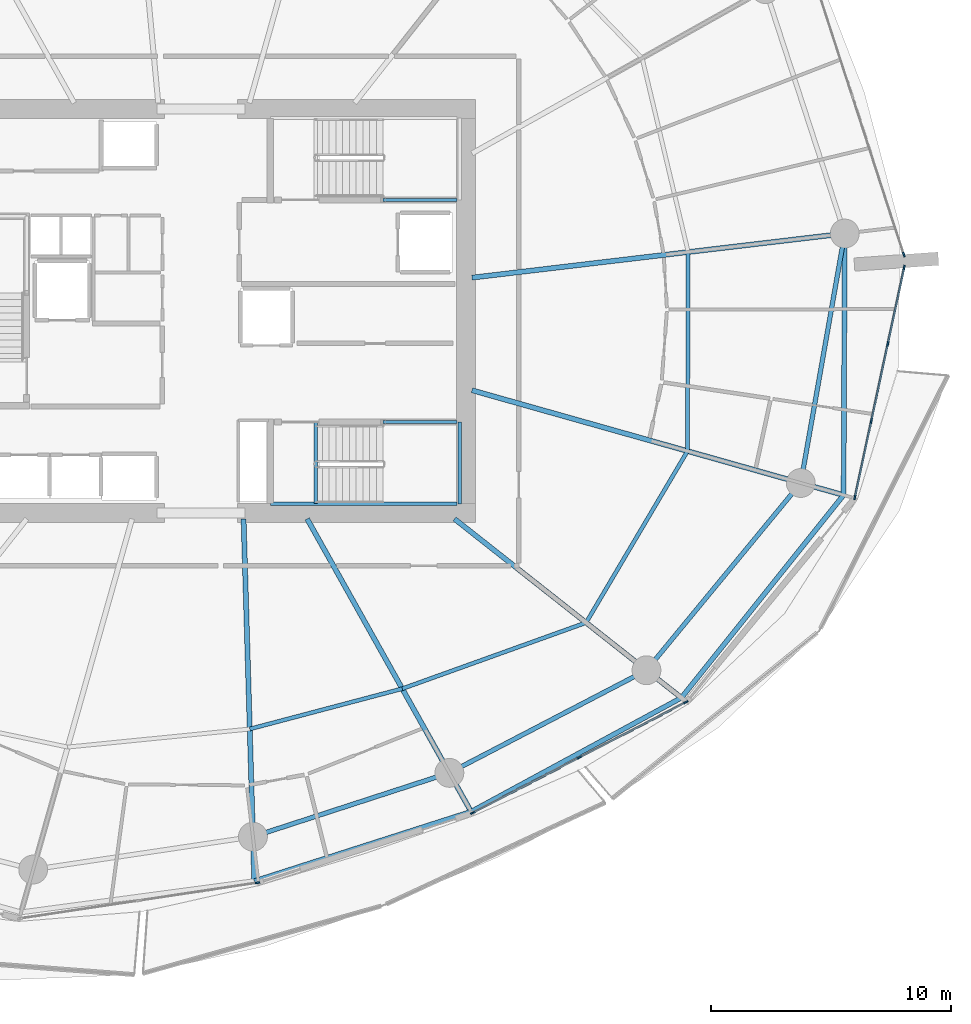
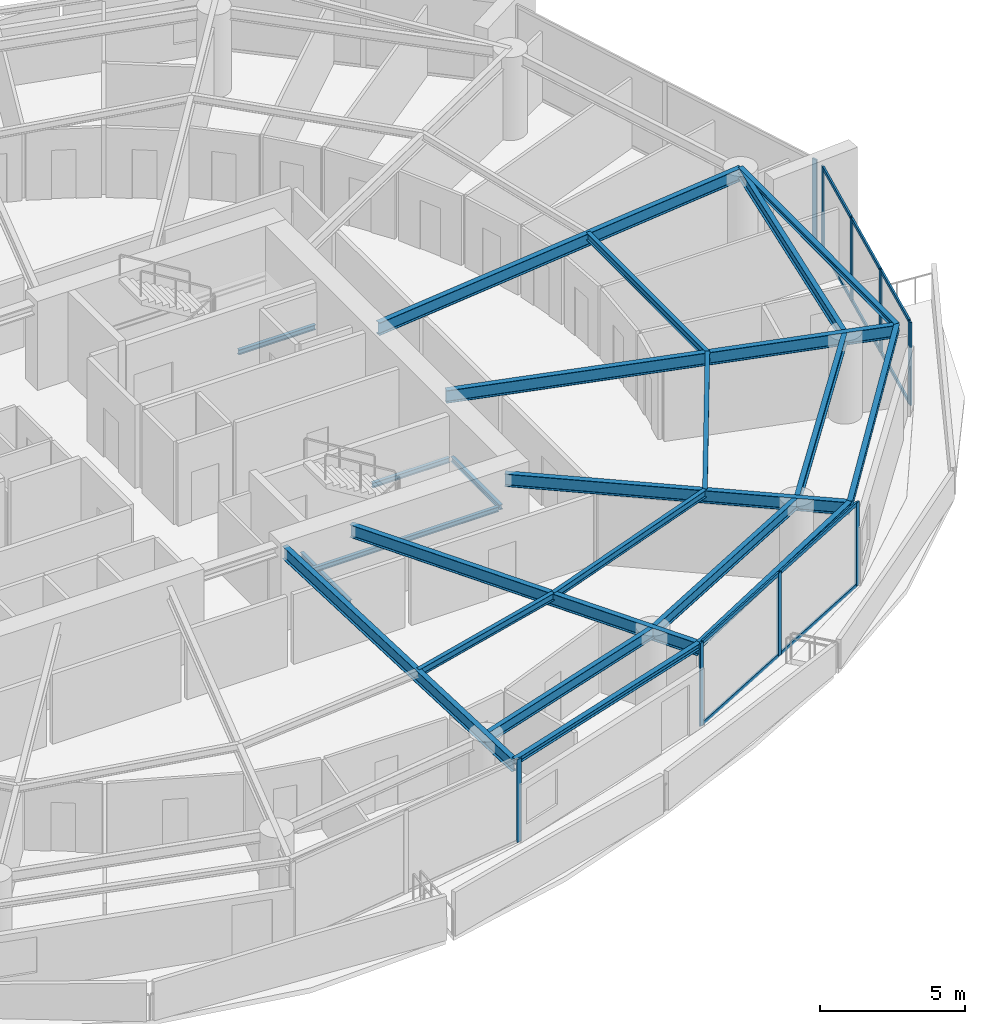
# One storey, part 7 of 23: 22 beams, 19 members, 4 elements without a shape of their own.
"""IFC4 building model written with IfcOpenShell, lengths in metres."""

from ifc_helpers import new_model, si_unit, direction, frame, origin, origin_2d, place, context, subcontext, project, spatial, rectangle, i_section, extrude, material, layer, layer_set, material_profile, profile_set, type_object, element, aggregate, save


model = new_model("IFC4")

# Units and contexts
model_context = context("Model", 3, precision=1e-05, world=origin(), true_north=direction((0.0, 1.0)))
body_context = subcontext(model_context, "Body", "Model", "MODEL_VIEW")
ifc_project = project(units=[si_unit("LENGTHUNIT", "METRE"), si_unit("AREAUNIT", "SQUARE_METRE"), si_unit("VOLUMEUNIT", "CUBIC_METRE"), si_unit("PLANEANGLEUNIT", "RADIAN"), si_unit("MASSUNIT", "GRAM", prefix="KILO")], contexts=[model_context])

# Site, building, storey
site_placement = place(None, origin())
site = spatial("IfcSite", under=ifc_project, at=site_placement, CompositionType="ELEMENT")
building_placement = place(site_placement, origin())
building = spatial("IfcBuilding", under=site, at=building_placement, Name="Kazma Halo Residences", CompositionType="ELEMENT")
storey_placement = place(building_placement, frame((0.0, 0.0, 108.89990234375)))
storey = spatial("IfcBuildingStorey", under=building, at=storey_placement, Name="L27", CompositionType="ELEMENT", Elevation=108.89990234375)

# Beams
ifc_material_1 = material(Name="Steel S355", Category="steel")
ifc_material_profile_1 = material_profile(ifc_material_1, i_section(OverallWidth=0.201904296875, OverallDepth=0.2470703125, WebThickness=0.00732421875, FlangeThickness=0.010986328125, FilletRadius=0.011962890625, at=origin_2d()), Name="W250x49.1")
ifc_profile_set_1 = profile_set([ifc_material_profile_1], Name="Steel S355")
beam_type_1 = type_object("IfcBeamType", Name="BM-BAL-CANT", PredefinedType="BEAM", material=ifc_profile_set_1)
beam_1_placement = place(storey_placement, frame((50.642578125, 18.28173828125, 3.376708984375), z_axis=(0.952319061301, 0.305103925709, 0.0), x_axis=(-0.305103925709, 0.952319061301, 0.0)))
element("IfcBeam", 1, at=beam_1_placement, inside=storey, type_object=beam_type_1, Name="L27 wave-balcony tie beam 12", PredefinedType="BEAM", context=body_context, shape_type="SweptSolid", body=[
    extrude(i_section(OverallWidth=0.201904296875, OverallDepth=0.2470703125, WebThickness=0.00732421875, FlangeThickness=0.010986328125, FilletRadius=0.011962890625, at=origin_2d()), origin(), (0.0, 0.0, 1.0), 9.473388671875),
])
beam_2_placement = place(storey_placement, frame((59.664306640625, 21.172119140625, 3.376708984375), z_axis=(0.87930438671, 0.476260218276, 0.0), x_axis=(-0.476260218276, 0.87930438671, 0.0)))
element("IfcBeam", 2, at=beam_2_placement, inside=storey, type_object=beam_type_1, Name="L27 wave-balcony tie beam 13", PredefinedType="BEAM", context=body_context, shape_type="SweptSolid", body=[
    extrude(i_section(OverallWidth=0.201904296875, OverallDepth=0.2470703125, WebThickness=0.00732421875, FlangeThickness=0.010986328125, FilletRadius=0.011962890625, at=origin_2d()), origin(), (0.0, 0.0, 1.0), 9.94677734375),
])
beam_3_placement = place(storey_placement, frame((68.41064453125, 25.909423828125, 3.376708984375), z_axis=(0.62477775999, 0.78080263231, 0.0), x_axis=(-0.78080263231, 0.62477775999, 0.0)))
element("IfcBeam", 3, at=beam_3_placement, inside=storey, type_object=beam_type_1, Name="L27 wave-balcony tie beam 14", PredefinedType="BEAM", context=body_context, shape_type="SweptSolid", body=[
    extrude(i_section(OverallWidth=0.201904296875, OverallDepth=0.2470703125, WebThickness=0.00732421875, FlangeThickness=0.010986328125, FilletRadius=0.011962890625, at=origin_2d()), origin(), (0.0, 0.0, 1.0), 10.79833984375),
])
beam_4_placement = place(storey_placement, frame((75.1572265625, 34.3408203125, 3.376708984375), z_axis=(0.004532963616, 0.999989726068, 0.0), x_axis=(-0.999989726068, 0.004532963616, 0.0)))
element("IfcBeam", 4, at=beam_4_placement, inside=storey, type_object=beam_type_1, Name="L27 wave-balcony tie beam 15", PredefinedType="BEAM", context=body_context, shape_type="SweptSolid", body=[
    extrude(i_section(OverallWidth=0.201904296875, OverallDepth=0.2470703125, WebThickness=0.00732421875, FlangeThickness=0.010986328125, FilletRadius=0.011962890625, at=origin_2d()), origin(), (0.0, 0.0, 1.0), 10.87939453125),
])
ifc_material_profile_2 = material_profile(ifc_material_1, i_section(OverallWidth=0.208984375, OverallDepth=0.532958984375, WebThickness=0.01025390625, FlangeThickness=0.015625, FilletRadius=0.01611328125, at=origin_2d()), Name="W530x92")
ifc_profile_set_2 = profile_set([ifc_material_profile_2], Name="Steel S355")
beam_type_2 = type_object("IfcBeamType", Name="BM-RAD-W530", PredefinedType="BEAM", material=ifc_profile_set_2)
beam_5_placement = place(storey_placement, frame((50.199951171875, 33.35009765625, 3.233642578125), z_axis=(0.029361929959, -0.999568845587, 0.0), x_axis=(0.999568845587, 0.029361929959, 0.0)))
element("IfcBeam", 5, at=beam_5_placement, inside=storey, type_object=beam_type_2, Name="L27 radial floor beam 12", PredefinedType="BEAM", context=body_context, shape_type="SweptSolid", body=[
    extrude(i_section(OverallWidth=0.208984375, OverallDepth=0.532958984375, WebThickness=0.01025390625, FlangeThickness=0.015625, FilletRadius=0.01611328125, at=origin_2d()), origin(), (0.0, 0.0, 1.0), 15.074951171875),
])
beam_6_placement = place(storey_placement, frame((52.84423828125, 33.35009765625, 3.233642578125), z_axis=(0.488625206529, -0.872493786536, 0.0), x_axis=(0.872493786536, 0.488625206529, 0.0)))
element("IfcBeam", 6, at=beam_6_placement, inside=storey, type_object=beam_type_2, Name="L27 radial floor beam 13", PredefinedType="BEAM", context=body_context, shape_type="SweptSolid", body=[
    extrude(i_section(OverallWidth=0.208984375, OverallDepth=0.532958984375, WebThickness=0.01025390625, FlangeThickness=0.015625, FilletRadius=0.01611328125, at=origin_2d()), origin(), (0.0, 0.0, 1.0), 13.957763671875),
])
beam_7_placement = place(storey_placement, frame((58.972412109375, 33.35009765625, 3.233642578125), z_axis=(0.785309999923, -0.619102741086, 0.0), x_axis=(0.619102741086, 0.785309999923, 0.0)))
element("IfcBeam", 7, at=beam_7_placement, inside=storey, type_object=beam_type_2, Name="L27 radial floor beam 14", PredefinedType="BEAM", context=body_context, shape_type="SweptSolid", body=[
    extrude(i_section(OverallWidth=0.208984375, OverallDepth=0.532958984375, WebThickness=0.01025390625, FlangeThickness=0.015625, FilletRadius=0.01611328125, at=origin_2d()), origin(), (0.0, 0.0, 1.0), 12.0185546875),
])
beam_8_placement = place(storey_placement, frame((59.699951171875, 38.7001953125, 3.233642578125), z_axis=(0.962455684158, -0.271438862419, 0.0), x_axis=(0.271438862419, 0.962455684158, 0.0)))
element("IfcBeam", 8, at=beam_8_placement, inside=storey, type_object=beam_type_2, Name="L27 radial floor beam 15", PredefinedType="BEAM", context=body_context, shape_type="SweptSolid", body=[
    extrude(i_section(OverallWidth=0.208984375, OverallDepth=0.532958984375, WebThickness=0.01025390625, FlangeThickness=0.015625, FilletRadius=0.01611328125, at=origin_2d()), origin(), (0.0, 0.0, 1.0), 16.060302734375),
])
beam_9_placement = place(storey_placement, frame((59.699951171875, 43.384765625, 3.233642578125), z_axis=(0.993067536486, 0.1175451742, 0.0), x_axis=(-0.1175451742, 0.993067536486, 0.0)))
element("IfcBeam", 9, at=beam_9_placement, inside=storey, type_object=beam_type_2, Name="L27 radial floor beam 16", PredefinedType="BEAM", context=body_context, shape_type="SweptSolid", body=[
    extrude(i_section(OverallWidth=0.208984375, OverallDepth=0.532958984375, WebThickness=0.01025390625, FlangeThickness=0.015625, FilletRadius=0.01611328125, at=origin_2d()), origin(), (0.0, 0.0, 1.0), 15.61474609375),
])
ifc_material_profile_3 = material_profile(ifc_material_1, i_section(OverallWidth=0.1650390625, OverallDepth=0.31005859375, WebThickness=0.005859375, FlangeThickness=0.009765625, FilletRadius=0.011962890625, at=origin_2d()), Name="W310x38.7")
ifc_profile_set_3 = profile_set([ifc_material_profile_3], Name="Steel S355")
beam_type_3 = type_object("IfcBeamType", Name="BM-SEC-W310B", PredefinedType="JOIST", material=ifc_profile_set_3)
beam_10_placement = place(storey_placement, frame((50.456787109375, 24.6103515625, 3.34521484375), z_axis=(0.966800191214, 0.255533540398, 0.0), x_axis=(-0.255533540398, 0.966800191214, 0.0)))
element("IfcBeam", 10, at=beam_10_placement, inside=storey, type_object=beam_type_3, Name="L27 circumferential floor joist 12", PredefinedType="JOIST", context=body_context, shape_type="SweptSolid", body=[
    extrude(i_section(OverallWidth=0.1650390625, OverallDepth=0.31005859375, WebThickness=0.005859375, FlangeThickness=0.009765625, FilletRadius=0.011962890625, at=origin_2d()), origin(), (0.0, 0.0, 1.0), 6.560791015625),
])
beam_11_placement = place(storey_placement, frame((56.7998046875, 26.286865234375, 3.34521484375), z_axis=(0.941097126818, 0.338136359913, 0.0), x_axis=(-0.338136359913, 0.941097126818, 0.0)))
element("IfcBeam", 11, at=beam_11_placement, inside=storey, type_object=beam_type_3, Name="L27 circumferential floor joist 13", PredefinedType="JOIST", context=body_context, shape_type="SweptSolid", body=[
    extrude(i_section(OverallWidth=0.1650390625, OverallDepth=0.31005859375, WebThickness=0.005859375, FlangeThickness=0.009765625, FilletRadius=0.011962890625, at=origin_2d()), origin(), (0.0, 0.0, 1.0), 8.12548828125),
])
beam_12_placement = place(storey_placement, frame((64.44677734375, 29.034423828125, 3.34521484375), z_axis=(0.508811652677, 0.860877867122, 0.0), x_axis=(-0.860877867122, 0.508811652677, 0.0)))
element("IfcBeam", 12, at=beam_12_placement, inside=storey, type_object=beam_type_3, Name="L27 circumferential floor joist 14", PredefinedType="JOIST", context=body_context, shape_type="SweptSolid", body=[
    extrude(i_section(OverallWidth=0.1650390625, OverallDepth=0.31005859375, WebThickness=0.005859375, FlangeThickness=0.009765625, FilletRadius=0.011962890625, at=origin_2d()), origin(), (0.0, 0.0, 1.0), 8.291015625),
])
beam_13_placement = place(storey_placement, frame((68.665283203125, 36.171875, 3.34521484375), z_axis=(0.003450899697, 0.999994045628, 0.0), x_axis=(-0.999994045628, 0.003450899697, 0.0)))
element("IfcBeam", 13, at=beam_13_placement, inside=storey, type_object=beam_type_3, Name="L27 circumferential floor joist 15", PredefinedType="JOIST", context=body_context, shape_type="SweptSolid", body=[
    extrude(i_section(OverallWidth=0.1650390625, OverallDepth=0.31005859375, WebThickness=0.005859375, FlangeThickness=0.009765625, FilletRadius=0.011962890625, at=origin_2d()), origin(), (0.0, 0.0, 1.0), 8.27734375),
])
ifc_material_profile_4 = material_profile(ifc_material_1, i_section(OverallWidth=0.18994140625, OverallDepth=0.45703125, WebThickness=0.009033203125, FlangeThickness=0.014404296875, FilletRadius=0.01611328125, at=origin_2d()), Name="W460x74")
ifc_profile_set_4 = profile_set([ifc_material_profile_4], Name="Steel S355")
beam_type_4 = type_object("IfcBeamType", Name="BM-SPN-W460", PredefinedType="BEAM", material=ifc_profile_set_4)
beam_14_placement = place(storey_placement, frame((50.58837890625, 20.130859375, 3.271484375), z_axis=(0.951054111927, 0.30902439416, 0.0), x_axis=(-0.30902439416, 0.951054111927, 0.0)))
element("IfcBeam", 14, at=beam_14_placement, inside=storey, type_object=beam_type_4, Name="L27 perimeter ring beam 12", PredefinedType="BEAM", context=body_context, shape_type="SweptSolid", body=[
    extrude(i_section(OverallWidth=0.18994140625, OverallDepth=0.45703125, WebThickness=0.009033203125, FlangeThickness=0.014404296875, FilletRadius=0.01611328125, at=origin_2d()), origin(), (0.0, 0.0, 1.0), 8.592529296875),
])
beam_15_placement = place(storey_placement, frame((58.76025390625, 22.7861328125, 3.271484375), z_axis=(0.886963229644, 0.461840047266, 0.0), x_axis=(-0.461840047266, 0.886963229644, 0.0)))
element("IfcBeam", 15, at=beam_15_placement, inside=storey, type_object=beam_type_4, Name="L27 perimeter ring beam 13", PredefinedType="BEAM", context=body_context, shape_type="SweptSolid", body=[
    extrude(i_section(OverallWidth=0.18994140625, OverallDepth=0.45703125, WebThickness=0.009033203125, FlangeThickness=0.014404296875, FilletRadius=0.01611328125, at=origin_2d()), origin(), (0.0, 0.0, 1.0), 9.242431640625),
])
beam_16_placement = place(storey_placement, frame((66.9580078125, 27.0546875, 3.271484375), z_axis=(0.635989564566, 0.771697656963, 0.0), x_axis=(-0.771697656963, 0.635989564566, 0.0)))
element("IfcBeam", 16, at=beam_16_placement, inside=storey, type_object=beam_type_4, Name="L27 perimeter ring beam 14", PredefinedType="BEAM", context=body_context, shape_type="SweptSolid", body=[
    extrude(i_section(OverallWidth=0.18994140625, OverallDepth=0.45703125, WebThickness=0.009033203125, FlangeThickness=0.014404296875, FilletRadius=0.01611328125, at=origin_2d()), origin(), (0.0, 0.0, 1.0), 10.092529296875),
])
beam_17_placement = place(storey_placement, frame((73.376708984375, 34.843017578125, 3.271484375), z_axis=(0.173653159051, 0.984806874647, 0.0), x_axis=(-0.984806874647, 0.173653159051, 0.0)))
element("IfcBeam", 17, at=beam_17_placement, inside=storey, type_object=beam_type_4, Name="L27 perimeter ring beam 15", PredefinedType="BEAM", context=body_context, shape_type="SweptSolid", body=[
    extrude(i_section(OverallWidth=0.18994140625, OverallDepth=0.45703125, WebThickness=0.009033203125, FlangeThickness=0.014404296875, FilletRadius=0.01611328125, at=origin_2d()), origin(), (0.0, 0.0, 1.0), 10.537353515625),
])
ifc_material_profile_5 = material_profile(ifc_material_1, i_section(OverallWidth=0.133056640625, OverallDepth=0.20703125, WebThickness=0.005859375, FlangeThickness=0.00830078125, FilletRadius=0.010009765625, at=origin_2d()), Name="W200x26.6")
ifc_profile_set_5 = profile_set([ifc_material_profile_5], Name="Steel S355")
beam_type_5 = type_object("IfcBeamType", Name="BM-TRIM-W200", PredefinedType="BEAM", material=ifc_profile_set_5)
beam_18_placement = place(storey_placement, frame((53.199951171875, 34.0, -0.35986328125), z_axis=(0.0, 1.0, 0.0), x_axis=(-1.0, 0.0, 0.0)))
element("IfcBeam", 18, at=beam_18_placement, inside=storey, type_object=beam_type_5, Name="L27 ST-03 floor landing support beam", PredefinedType="BEAM", context=body_context, shape_type="SweptSolid", body=[
    extrude(i_section(OverallWidth=0.133056640625, OverallDepth=0.20703125, WebThickness=0.005859375, FlangeThickness=0.00830078125, FilletRadius=0.010009765625, at=origin_2d()), origin(), (0.0, 0.0, 1.0), 3.3798828125),
])
beam_19_placement = place(storey_placement, frame((56.0, 46.6201171875, 1.570068359375), z_axis=(1.0, 0.0, 0.0), x_axis=(0.0, 1.0, 0.0)))
element("IfcBeam", 19, at=beam_19_placement, inside=storey, type_object=beam_type_5, Name="L27 ST-02 landing south wall ledger", PredefinedType="BEAM", context=body_context, shape_type="SweptSolid", body=[
    extrude(i_section(OverallWidth=0.133056640625, OverallDepth=0.20703125, WebThickness=0.005859375, FlangeThickness=0.00830078125, FilletRadius=0.010009765625, at=origin_2d()), origin(), (0.0, 0.0, 1.0), 3.070068359375),
])
beam_20_placement = place(storey_placement, frame((51.31005859375, 33.97998046875, 1.570068359375), z_axis=(1.0, 0.0, 0.0), x_axis=(0.0, 1.0, 0.0)))
element("IfcBeam", 20, at=beam_20_placement, inside=storey, type_object=beam_type_5, Name="L27 ST-03 landing south wall ledger", PredefinedType="BEAM", context=body_context, shape_type="SweptSolid", body=[
    extrude(i_section(OverallWidth=0.133056640625, OverallDepth=0.20703125, WebThickness=0.005859375, FlangeThickness=0.00830078125, FilletRadius=0.010009765625, at=origin_2d()), origin(), (0.0, 0.0, 1.0), 7.760009765625),
])
beam_21_placement = place(storey_placement, frame((56.0, 37.3798828125, 1.570068359375), z_axis=(1.0, 0.0, 0.0), x_axis=(0.0, 1.0, 0.0)))
element("IfcBeam", 21, at=beam_21_placement, inside=storey, type_object=beam_type_5, Name="L27 ST-03 landing north wall ledger", PredefinedType="BEAM", context=body_context, shape_type="SweptSolid", body=[
    extrude(i_section(OverallWidth=0.133056640625, OverallDepth=0.20703125, WebThickness=0.005859375, FlangeThickness=0.00830078125, FilletRadius=0.010009765625, at=origin_2d()), origin(), (0.0, 0.0, 1.0), 3.070068359375),
])
beam_22_placement = place(storey_placement, frame((59.18994140625, 33.97998046875, 1.570068359375), z_axis=(0.0, 1.0, 0.0), x_axis=(-1.0, 0.0, 0.0)))
element("IfcBeam", 22, at=beam_22_placement, inside=storey, type_object=beam_type_5, Name="L27 ST-03 landing end wall ledger", PredefinedType="BEAM", context=body_context, shape_type="SweptSolid", body=[
    extrude(i_section(OverallWidth=0.133056640625, OverallDepth=0.20703125, WebThickness=0.005859375, FlangeThickness=0.00830078125, FilletRadius=0.010009765625, at=origin_2d()), origin(), (0.0, 0.0, 1.0), 3.39990234375),
])

# Curtain wall, member
ifc_material_2 = material(Name="Aluminium AW-6063 T6 and Triple-Silver Low-E Glass", Category="aluminium")
ifc_layer = layer(ifc_material_2, 0.199951171875)
ifc_layer_set = layer_set([ifc_layer], Name="Aluminium AW-6063 T6 and Triple-Silver Low-E Glass")
curtain_wall_type = type_object("IfcCurtainWallType", Name="CW-SYS-3", PredefinedType="NOTDEFINED", material=ifc_layer_set)
curtain_wall_1_placement = place(storey_placement, origin())
curtain_wall_1 = element("IfcCurtainWall", 23, at=curtain_wall_1_placement, inside=storey, type_object=curtain_wall_type, Name="L27 unitised curtain wall B11", PredefinedType="NOTDEFINED")
ifc_material_3 = material(Name="Aluminium AW-6063 T6", Category="aluminium")
ifc_material_profile_6 = material_profile(ifc_material_3, rectangle(XDim=0.070068359375, YDim=0.199951171875, at=origin_2d()), Name="CWM-70x200")
ifc_profile_set_6 = profile_set([ifc_material_profile_6], Name="Aluminium AW-6063 T6")
member_type_1 = type_object("IfcMemberType", Name="CW-SYS-3-MUL", PredefinedType="MULLION", material=ifc_profile_set_6)
member_1_placement = place(storey_placement, frame((50.780029296875, 18.21337890625, 0.0), z_axis=(0.0, 0.0, 1.0), x_axis=(-0.148717330409, 0.988879747814, 0.0)))
member_1 = element("IfcMember", 24, at=member_1_placement, type_object=member_type_1, Name="CWS-3 mullion 3", PredefinedType="MULLION", context=body_context, shape_type="SweptSolid", body=[
    extrude(rectangle(XDim=0.070068359375, YDim=0.199951171875, at=origin_2d()), origin(), (0.0, 0.0, 1.0), 3.5),
])
aggregate(curtain_wall_1, [member_1])

# Curtain wall, members
curtain_wall_2_placement = place(storey_placement, origin())
curtain_wall_2 = element("IfcCurtainWall", 25, at=curtain_wall_2_placement, inside=storey, type_object=curtain_wall_type, Name="L27 unitised curtain wall B13", PredefinedType="NOTDEFINED")
member_2_placement = place(storey_placement, frame((59.732177734375, 21.1220703125, 0.0), z_axis=(0.0, 0.0, 1.0), x_axis=(-0.460932159481, 0.887435374749, 0.0)))
member_2 = element("IfcMember", 26, at=member_2_placement, type_object=member_type_1, Name="CWS-3 mullion 1", PredefinedType="MULLION", context=body_context, shape_type="SweptSolid", body=[
    extrude(rectangle(XDim=0.070068359375, YDim=0.199951171875, at=origin_2d()), origin(), (0.0, 0.0, 1.0), 3.5),
])
member_3_placement = place(storey_placement, frame((64.1630859375, 23.42333984375, 0.0), z_axis=(0.0, 0.0, 1.0), x_axis=(-0.460932159481, 0.887435374749, 0.0)))
member_3 = element("IfcMember", 27, at=member_3_placement, type_object=member_type_1, Name="CWS-3 mullion 2", PredefinedType="MULLION", context=body_context, shape_type="SweptSolid", body=[
    extrude(rectangle(XDim=0.070068359375, YDim=0.199951171875, at=origin_2d()), origin(), (0.0, 0.0, 1.0), 3.5),
])
member_4_placement = place(storey_placement, frame((68.59375, 25.724609375, 0.0), z_axis=(0.0, 0.0, 1.0), x_axis=(-0.460932159481, 0.887435374749, 0.0)))
member_4 = element("IfcMember", 28, at=member_4_placement, type_object=member_type_1, Name="CWS-3 mullion 3", PredefinedType="MULLION", context=body_context, shape_type="SweptSolid", body=[
    extrude(rectangle(XDim=0.070068359375, YDim=0.199951171875, at=origin_2d()), origin(), (0.0, 0.0, 1.0), 3.5),
])

curtain_wall_3_placement = place(storey_placement, origin())
curtain_wall_3 = element("IfcCurtainWall", 29, at=curtain_wall_3_placement, inside=storey, type_object=curtain_wall_type, Name="L27 unitised curtain wall B15", PredefinedType="NOTDEFINED")
member_5_placement = place(storey_placement, frame((75.6259765625, 34.244873046875, 0.0), z_axis=(0.0, 0.0, 1.0), x_axis=(-0.977774176093, 0.209660822677, 0.0)))
member_5 = element("IfcMember", 30, at=member_5_placement, type_object=member_type_1, Name="CWS-3 mullion 1", PredefinedType="MULLION", context=body_context, shape_type="SweptSolid", body=[
    extrude(rectangle(XDim=0.070068359375, YDim=0.199951171875, at=origin_2d()), origin(), (0.0, 0.0, 1.0), 3.5),
])
member_6_placement = place(storey_placement, frame((76.30712890625, 37.4208984375, 0.0), z_axis=(0.0, 0.0, 1.0), x_axis=(-0.977774176093, 0.209660822677, 0.0)))
member_6 = element("IfcMember", 31, at=member_6_placement, type_object=member_type_1, Name="CWS-3 mullion 2", PredefinedType="MULLION", context=body_context, shape_type="SweptSolid", body=[
    extrude(rectangle(XDim=0.070068359375, YDim=0.199951171875, at=origin_2d()), origin(), (0.0, 0.0, 1.0), 3.5),
])
member_7_placement = place(storey_placement, frame((76.995361328125, 40.63134765625, 0.0), z_axis=(0.0, 0.0, 1.0), x_axis=(-0.977774176093, 0.209660822677, 0.0)))
member_7 = element("IfcMember", 32, at=member_7_placement, type_object=member_type_1, Name="CWS-3 mullion 3", PredefinedType="MULLION", context=body_context, shape_type="SweptSolid", body=[
    extrude(rectangle(XDim=0.070068359375, YDim=0.199951171875, at=origin_2d()), origin(), (0.0, 0.0, 1.0), 3.5),
])
member_8_placement = place(storey_placement, frame((77.676513671875, 43.807373046875, 0.0), z_axis=(0.0, 0.0, 1.0), x_axis=(-0.977774176093, 0.209660822677, 0.0)))
member_8 = element("IfcMember", 33, at=member_8_placement, type_object=member_type_1, Name="CWS-3 mullion 4", PredefinedType="MULLION", context=body_context, shape_type="SweptSolid", body=[
    extrude(rectangle(XDim=0.070068359375, YDim=0.199951171875, at=origin_2d()), origin(), (0.0, 0.0, 1.0), 3.5),
])

# Curtain wall, member
curtain_wall_4_placement = place(storey_placement, origin())
curtain_wall_4 = element("IfcCurtainWall", 34, at=curtain_wall_4_placement, inside=storey, type_object=curtain_wall_type, Name="L27 unitised curtain wall B16", PredefinedType="NOTDEFINED")
member_9_placement = place(storey_placement, frame((77.665283203125, 44.3427734375, 0.0), z_axis=(0.0, 0.0, 1.0), x_axis=(-0.951057722508, -0.309013282008, 0.0)))
member_9 = element("IfcMember", 35, at=member_9_placement, type_object=member_type_1, Name="CWS-3 mullion 1", PredefinedType="MULLION", context=body_context, shape_type="SweptSolid", body=[
    extrude(rectangle(XDim=0.070068359375, YDim=0.199951171875, at=origin_2d()), origin(), (0.0, 0.0, 1.0), 3.5),
])
aggregate(curtain_wall_4, [member_9])

# Member
ifc_material_profile_7 = material_profile(ifc_material_3, rectangle(XDim=0.070068359375, YDim=0.14990234375, at=origin_2d()), Name="CWT-70x150")
ifc_profile_set_7 = profile_set([ifc_material_profile_7], Name="Aluminium AW-6063 T6")
member_type_2 = type_object("IfcMemberType", Name="CW-SYS-3-TRN", PredefinedType="USERDEFINED", material=ifc_profile_set_7)
member_10_placement = place(storey_placement, frame((59.763427734375, 21.13818359375, 0.03515625), z_axis=(0.887427024944, 0.460948235054, 0.0), x_axis=(-0.460948235054, 0.887427024944, 0.0)))
member_10 = element("IfcMember", 36, at=member_10_placement, type_object=member_type_2, Name="CWS-3 transom 1.1", ObjectType="TRANSOM", PredefinedType="USERDEFINED", context=body_context, shape_type="SweptSolid", body=[
    extrude(rectangle(XDim=0.070068359375, YDim=0.14990234375, at=origin_2d()), origin(), (0.0, 0.0, 1.0), 4.922607421875),
])

member_11_placement = place(storey_placement, frame((59.763427734375, 21.13818359375, 3.465087890625), z_axis=(0.887427024944, 0.460948235054, 0.0), x_axis=(-0.460948235054, 0.887427024944, 0.0)))
member_11 = element("IfcMember", 37, at=member_11_placement, type_object=member_type_2, Name="CWS-3 transom 1.2", ObjectType="TRANSOM", PredefinedType="USERDEFINED", context=body_context, shape_type="SweptSolid", body=[
    extrude(rectangle(XDim=0.070068359375, YDim=0.14990234375, at=origin_2d()), origin(), (0.0, 0.0, 1.0), 4.922607421875),
])

member_12_placement = place(storey_placement, frame((64.194091796875, 23.439453125, 0.03515625), z_axis=(0.887437562141, 0.460927948058, 0.0), x_axis=(-0.460927948058, 0.887437562141, 0.0)))
member_12 = element("IfcMember", 38, at=member_12_placement, type_object=member_type_2, Name="CWS-3 transom 2.1", ObjectType="TRANSOM", PredefinedType="USERDEFINED", context=body_context, shape_type="SweptSolid", body=[
    extrude(rectangle(XDim=0.070068359375, YDim=0.14990234375, at=origin_2d()), origin(), (0.0, 0.0, 1.0), 4.9228515625),
])

member_13_placement = place(storey_placement, frame((64.194091796875, 23.439453125, 3.465087890625), z_axis=(0.887437562141, 0.460927948058, 0.0), x_axis=(-0.460927948058, 0.887437562141, 0.0)))
member_13 = element("IfcMember", 39, at=member_13_placement, type_object=member_type_2, Name="CWS-3 transom 2.2", ObjectType="TRANSOM", PredefinedType="USERDEFINED", context=body_context, shape_type="SweptSolid", body=[
    extrude(rectangle(XDim=0.070068359375, YDim=0.14990234375, at=origin_2d()), origin(), (0.0, 0.0, 1.0), 4.9228515625),
])

aggregate(curtain_wall_2, [member_2, member_3, member_4, member_10, member_11, member_12, member_13])

member_14_placement = place(storey_placement, frame((75.63330078125, 34.279052734375, 0.03515625), z_axis=(0.209702197956, 0.977765303216, 0.0), x_axis=(-0.977765303216, 0.209702197956, 0.0)))
member_14 = element("IfcMember", 40, at=member_14_placement, type_object=member_type_2, Name="CWS-3 transom 1.1", ObjectType="TRANSOM", PredefinedType="USERDEFINED", context=body_context, shape_type="SweptSolid", body=[
    extrude(rectangle(XDim=0.070068359375, YDim=0.14990234375, at=origin_2d()), origin(), (0.0, 0.0, 1.0), 3.17822265625),
])

member_15_placement = place(storey_placement, frame((75.63330078125, 34.279052734375, 3.465087890625), z_axis=(0.209702197956, 0.977765303216, 0.0), x_axis=(-0.977765303216, 0.209702197956, 0.0)))
member_15 = element("IfcMember", 41, at=member_15_placement, type_object=member_type_2, Name="CWS-3 transom 1.2", ObjectType="TRANSOM", PredefinedType="USERDEFINED", context=body_context, shape_type="SweptSolid", body=[
    extrude(rectangle(XDim=0.070068359375, YDim=0.14990234375, at=origin_2d()), origin(), (0.0, 0.0, 1.0), 3.17822265625),
])

member_16_placement = place(storey_placement, frame((76.314453125, 37.455078125, 0.03515625), z_axis=(0.209627675811, 0.977781283076, 0.0), x_axis=(-0.977781283076, 0.209627675811, 0.0)))
member_16 = element("IfcMember", 42, at=member_16_placement, type_object=member_type_2, Name="CWS-3 transom 2.1", ObjectType="TRANSOM", PredefinedType="USERDEFINED", context=body_context, shape_type="SweptSolid", body=[
    extrude(rectangle(XDim=0.070068359375, YDim=0.14990234375, at=origin_2d()), origin(), (0.0, 0.0, 1.0), 3.213134765625),
])

member_17_placement = place(storey_placement, frame((76.314453125, 37.455078125, 3.465087890625), z_axis=(0.209627675811, 0.977781283076, 0.0), x_axis=(-0.977781283076, 0.209627675811, 0.0)))
member_17 = element("IfcMember", 43, at=member_17_placement, type_object=member_type_2, Name="CWS-3 transom 2.2", ObjectType="TRANSOM", PredefinedType="USERDEFINED", context=body_context, shape_type="SweptSolid", body=[
    extrude(rectangle(XDim=0.070068359375, YDim=0.14990234375, at=origin_2d()), origin(), (0.0, 0.0, 1.0), 3.213134765625),
])

member_18_placement = place(storey_placement, frame((77.002685546875, 40.66552734375, 0.03515625), z_axis=(0.209717949017, 0.977761924939, 0.0), x_axis=(-0.977761924939, 0.209717949017, 0.0)))
member_18 = element("IfcMember", 44, at=member_18_placement, type_object=member_type_2, Name="CWS-3 transom 3.1", ObjectType="TRANSOM", PredefinedType="USERDEFINED", context=body_context, shape_type="SweptSolid", body=[
    extrude(rectangle(XDim=0.070068359375, YDim=0.14990234375, at=origin_2d()), origin(), (0.0, 0.0, 1.0), 3.177978515625),
])

member_19_placement = place(storey_placement, frame((77.002685546875, 40.66552734375, 3.465087890625), z_axis=(0.209717949017, 0.977761924939, 0.0), x_axis=(-0.977761924939, 0.209717949017, 0.0)))
member_19 = element("IfcMember", 45, at=member_19_placement, type_object=member_type_2, Name="CWS-3 transom 3.2", ObjectType="TRANSOM", PredefinedType="USERDEFINED", context=body_context, shape_type="SweptSolid", body=[
    extrude(rectangle(XDim=0.070068359375, YDim=0.14990234375, at=origin_2d()), origin(), (0.0, 0.0, 1.0), 3.177978515625),
])

aggregate(curtain_wall_3, [member_5, member_6, member_7, member_8, member_14, member_15, member_16, member_17, member_18, member_19])

save(model, "model.ifc")
